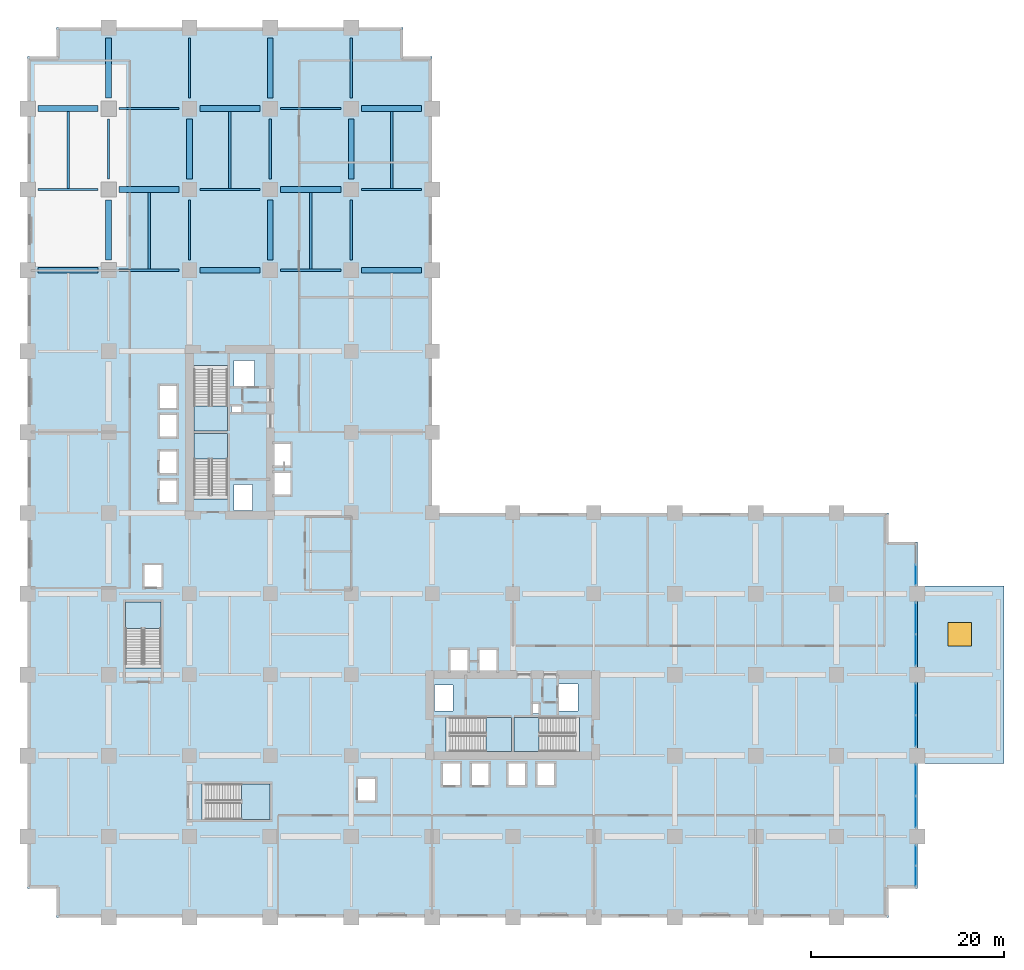
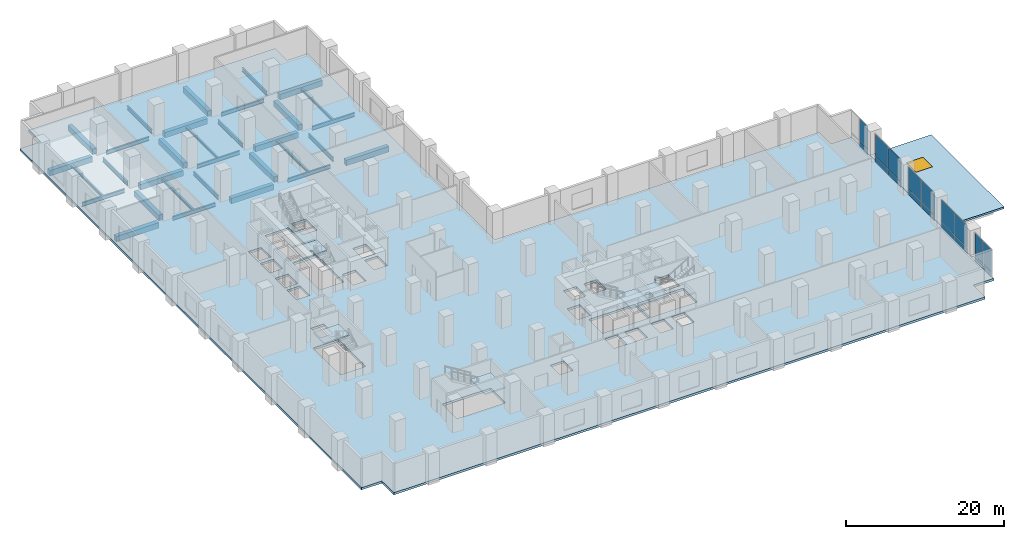
# One storey, part 8 of 22: 32 beams, 18 plates, 8 slabs, 1 window, 1 opening, 11 elements without a shape of their own.
"""IFC4 building model written with IfcOpenShell, lengths in metres."""

import ifcopenshell
import ifcopenshell.guid

model = None  # the IFC model being written
_history = None  # IfcOwnerHistory: only IFC2X3 demands one
_inside = {}  # id of a spatial element -> (the spatial element, [elements in it])
_under = {}  # id of a project, library or spatial element -> (it, [spatial elements below it])
_declared = {}  # id of a project -> (the project, [libraries it declares])
_typed = {}  # id of a type object -> (the type object, [elements of that type])
_made_of = {}  # id of a material, layer set ... -> (it, [elements and type objects made of it])


def new_model(schema):
    """Start an empty IFC model of exactly this schema.

    Asked for "IFC4X3", IfcOpenShell would pick the latest addendum, in which some entities
    have other attributes; the version numbers below select the first issue.
    IFC2X3 requires an IfcOwnerHistory on every rooted entity: one is made here for all.
    """
    global model, _history
    if schema == "IFC4X3":
        model = ifcopenshell.file(schema_version=(4, 3, 0, 0))
    else:
        model = ifcopenshell.file(schema=schema)
    _inside.clear()
    _under.clear()
    _declared.clear()
    _typed.clear()
    _made_of.clear()
    _history = None
    if model.schema == "IFC2X3":
        org = make("IfcOrganization", Name="unknown")
        user = make(
            "IfcPersonAndOrganization",
            ThePerson=make("IfcPerson", FamilyName="unknown"),
            TheOrganization=org,
        )
        app = make(
            "IfcApplication",
            ApplicationDeveloper=org,
            Version="unknown",
            ApplicationFullName="unknown",
            ApplicationIdentifier="unknown",
        )
        _history = make(
            "IfcOwnerHistory",
            OwningUser=user,
            OwningApplication=app,
            ChangeAction="ADDED",
            CreationDate=0,
        )
    return model


def make(cls, **values):
    """One entity of the class cls with the attributes given. An attribute that is None is left unset."""
    return model.create_entity(
        cls, **{name: value for name, value in values.items() if value is not None}
    )


def rooted(cls, **values):
    """An entity with a GlobalId (a new one), such as an element, a storey or a relation."""
    return make(cls, GlobalId=ifcopenshell.guid.new(), OwnerHistory=_history, **values)


def si_unit(unit_type, name, prefix=None):
    """IfcSIUnit, for example si_unit("LENGTHUNIT", "METRE", prefix="MILLI")."""
    return make("IfcSIUnit", UnitType=unit_type, Prefix=prefix, Name=name)


def assignment(units):
    """IfcUnitAssignment: the units of a project."""
    return None if units is None else make("IfcUnitAssignment", Units=units)


def point(xyz):
    """IfcCartesianPoint."""
    return None if xyz is None else make("IfcCartesianPoint", Coordinates=xyz)


def direction(xyz):
    """IfcDirection."""
    return None if xyz is None else make("IfcDirection", DirectionRatios=xyz)


def frame(location, z_axis=None, x_axis=None):
    """IfcAxis2Placement3D, a coordinate frame: its origin and axes. An axis left out is left unset."""
    return make(
        "IfcAxis2Placement3D",
        Location=point(location),
        Axis=direction(z_axis),
        RefDirection=direction(x_axis),
    )


def frame_2d(location, x_axis=None):
    """IfcAxis2Placement2D, a coordinate frame in the plane: its origin and x axis."""
    return make(
        "IfcAxis2Placement2D", Location=point(location), RefDirection=direction(x_axis)
    )


def origin():
    """The frame at (0, 0, 0) with its axes left unset."""
    return frame((0.0, 0.0, 0.0))


def origin_2d():
    """The frame at (0, 0) in the plane with its x axis left unset."""
    return frame_2d((0.0, 0.0))


def place(relative_to, where):
    """IfcLocalPlacement: puts the frame where relative to a parent placement (None: the world)."""
    return make(
        "IfcLocalPlacement", PlacementRelTo=relative_to, RelativePlacement=where
    )


def context(
    kind, dimensions, precision=None, world=None, true_north=None, identifier=None
):
    """IfcGeometricRepresentationContext, for example the 3D "Model" context."""
    return make(
        "IfcGeometricRepresentationContext",
        ContextIdentifier=identifier,
        ContextType=kind,
        CoordinateSpaceDimension=dimensions,
        Precision=precision,
        WorldCoordinateSystem=world,
        TrueNorth=true_north,
    )


def subcontext(parent, identifier, kind, view, scale=None):
    """IfcGeometricRepresentationSubContext, for example "Body" below "Model"."""
    return make(
        "IfcGeometricRepresentationSubContext",
        ContextIdentifier=identifier,
        ContextType=kind,
        ParentContext=parent,
        TargetScale=scale,
        TargetView=view,
    )


def project(units=None, contexts=None):
    """IfcProject with its units and contexts."""
    return rooted(
        "IfcProject",
        Name="project",
        RepresentationContexts=contexts,
        UnitsInContext=assignment(units),
    )


def spatial(cls, under=None, at=None, **own):
    """A site, building, storey or space (cls), placed at a placement, below another one or the project."""
    s = rooted(cls, ObjectPlacement=at, **own)
    if under is not None:
        _under.setdefault(under.id(), (under, []))[1].append(s)
    return s


def polyline(points):
    """IfcPolyline through the points."""
    return make("IfcPolyline", Points=[point(p) for p in points])


def profile(cls, at=None, kind="AREA", **sizes):
    """A parametric profile (cls). Its sizes go by their IFC names, for example OverallWidth=200.0."""
    return make(cls, ProfileType=kind, Position=at, **sizes)


def rectangle(**sizes):
    """IfcRectangleProfileDef."""
    return profile("IfcRectangleProfileDef", **sizes)


def i_section(**sizes):
    """IfcIShapeProfileDef."""
    return profile("IfcIShapeProfileDef", **sizes)


def outline(outer, holes=None, kind="AREA"):
    """IfcArbitraryClosedProfileDef: a profile drawn as a closed curve; with holes, ...WithVoids."""
    if holes is None:
        return make("IfcArbitraryClosedProfileDef", ProfileType=kind, OuterCurve=outer)
    return make(
        "IfcArbitraryProfileDefWithVoids",
        ProfileType=kind,
        OuterCurve=outer,
        InnerCurves=holes,
    )


def extrude(swept, where, along, depth):
    """IfcExtrudedAreaSolid: the profile swept, set in the frame where, extruded along a direction by depth."""
    return make(
        "IfcExtrudedAreaSolid",
        SweptArea=swept,
        Position=where,
        ExtrudedDirection=direction(along),
        Depth=depth,
    )


def shape(context_of_items, identifier, shape_type, items):
    """IfcShapeRepresentation: the items that make up one representation, for example the "Body"."""
    return make(
        "IfcShapeRepresentation",
        ContextOfItems=context_of_items,
        RepresentationIdentifier=identifier,
        RepresentationType=shape_type,
        Items=items,
    )


def material(Name=None, Category=None):
    """IfcMaterial."""
    return make("IfcMaterial", Name=Name, Category=Category)


def layer(
    of_material, thickness, ventilated=None, Name=None, Category=None, Priority=None
):
    """IfcMaterialLayer: one layer of a wall or slab, of a material (None: an air gap)."""
    return make(
        "IfcMaterialLayer",
        Material=of_material,
        LayerThickness=thickness,
        IsVentilated=ventilated,
        Name=Name,
        Category=Category,
        Priority=Priority,
    )


def layer_set(layers, Name=None):
    """IfcMaterialLayerSet."""
    return make("IfcMaterialLayerSet", MaterialLayers=layers, LayerSetName=Name)


def material_profile(
    of_material, cross_section, Name=None, Category=None, Priority=None
):
    """IfcMaterialProfile: a cross section and its material."""
    return make(
        "IfcMaterialProfile",
        Name=Name,
        Material=of_material,
        Profile=cross_section,
        Priority=Priority,
        Category=Category,
    )


def profile_set(profiles, Name=None, composite=None):
    """IfcMaterialProfileSet."""
    return make(
        "IfcMaterialProfileSet",
        Name=Name,
        MaterialProfiles=profiles,
        CompositeProfile=composite,
    )


def made_of(thing, what):
    """Note that an element or type object is made of a material, layer set ...; save() writes the relation."""
    if what is not None:
        _made_of.setdefault(what.id(), (what, []))[1].append(thing)
    return thing


def type_object(cls, material=None, **own):
    """A type object (cls), such as IfcWallType, which elements share."""
    return made_of(rooted(cls, **own), material)


def element(
    cls,
    number,
    at=None,
    inside=None,
    cuts=None,
    type_object=None,
    material=None,
    context=None,
    identifier="Body",
    shape_type=None,
    held_by="IfcProductDefinitionShape",
    body=None,
    shapes=None,
    **own,
):
    """One element of the class cls, such as IfcWall. Its Tag is "e" and its number.

    at: its placement. inside: the storey or other place that contains it. cuts: it is an
    opening in that element (IfcRelVoidsElement). A single representation is given by context,
    identifier, shape_type and body (its items); several are given by shapes. held_by: the class
    of the entity that holds the representations. save() writes the other relations.
    """
    e = rooted(cls, Tag="e%d" % number, ObjectPlacement=at, **own)
    if body is not None:
        shapes = [shape(context, identifier, shape_type, body)]
    if shapes is not None:
        e.Representation = make(held_by, Representations=shapes)
    if inside is not None:
        _inside.setdefault(inside.id(), (inside, []))[1].append(e)
    if cuts is not None:
        rooted(
            "IfcRelVoidsElement", RelatingBuildingElement=cuts, RelatedOpeningElement=e
        )
    if type_object is not None:
        _typed.setdefault(type_object.id(), (type_object, []))[1].append(e)
    return made_of(e, material)


def fill(opening, filler):
    """IfcRelFillsElement: the door or window that sits in an opening."""
    return rooted(
        "IfcRelFillsElement",
        RelatingOpeningElement=opening,
        RelatedBuildingElement=filler,
    )


def aggregate(whole, parts):
    """IfcRelAggregates: a whole, such as a stair, and the parts it consists of."""
    return rooted("IfcRelAggregates", RelatingObject=whole, RelatedObjects=parts)


def save(model, path):
    """Write the relations noted so far, then the file.

    IfcRelAggregates (storeys below a building ...), IfcRelContainedInSpatialStructure (elements
    in a storey), IfcRelDefinesByType, IfcRelAssociatesMaterial and IfcRelDeclares: one each for
    every whole, place, type object, material and project.
    """
    for whole, parts in _under.values():
        aggregate(whole, parts)
    for where, things in _inside.values():
        rooted(
            "IfcRelContainedInSpatialStructure",
            RelatedElements=things,
            RelatingStructure=where,
        )
    for kind, things in _typed.values():
        rooted("IfcRelDefinesByType", RelatedObjects=things, RelatingType=kind)
    for what, things in _made_of.values():
        rooted("IfcRelAssociatesMaterial", RelatedObjects=things, RelatingMaterial=what)
    for by, libraries in _declared.values():
        rooted("IfcRelDeclares", RelatingContext=by, RelatedDefinitions=libraries)
    model.write(path)


model = new_model("IFC4")

# Units and contexts
model_context = context("Model", 3, precision=1e-05, world=origin(), true_north=direction((0.0, 1.0)))
body_context = subcontext(model_context, "Body", "Model", "MODEL_VIEW")
ifc_project = project(units=[si_unit("LENGTHUNIT", "METRE"), si_unit("AREAUNIT", "SQUARE_METRE"), si_unit("VOLUMEUNIT", "CUBIC_METRE"), si_unit("PLANEANGLEUNIT", "RADIAN"), si_unit("MASSUNIT", "GRAM", prefix="KILO")], contexts=[model_context])

# Site, building, storey
site_placement = place(None, origin())
site = spatial("IfcSite", under=ifc_project, at=site_placement, CompositionType="ELEMENT")
building_placement = place(site_placement, origin())
building = spatial("IfcBuilding", under=site, at=building_placement, Name="Koriwani Terraces Tower", CompositionType="ELEMENT")
storey_placement = place(building_placement, frame((0.0, 0.0, 6.0)))
storey = spatial("IfcBuildingStorey", under=building, at=storey_placement, Name="L01", CompositionType="ELEMENT", Elevation=6.0)

# Beams
ifc_material_1 = material(Name="Concrete C60/75", Category="concrete")
ifc_material_profile_1 = material_profile(ifc_material_1, rectangle(XDim=0.60009765625, YDim=0.85009765625, at=origin_2d()), Name="Concrete C60/75", Category="LoadBearing")
ifc_profile_set_1 = profile_set([ifc_material_profile_1], Name="Concrete C60/75")
beam_type_1 = type_object("IfcBeamType", Name="BEAM_RC_GRID_600X850", PredefinedType="BEAM", material=ifc_profile_set_1)
beam_1_placement = place(storey_placement, frame((1.080078125, 67.199951171875, -0.77490234375), z_axis=(1.0, 0.0, 0.0), x_axis=(0.0, 1.0, 0.0)))
element("IfcBeam", 1, at=beam_1_placement, inside=storey, type_object=beam_type_1, Name="L01 Grid Beam I (0.0-8.4m)", PredefinedType="BEAM", context=body_context, shape_type="SweptSolid", body=[
    extrude(rectangle(XDim=0.60009765625, YDim=0.85009765625, at=origin_2d()), origin(), (0.0, 0.0, 1.0), 6.239990234375),
])
beam_2_placement = place(storey_placement, frame((17.8798828125, 67.199951171875, -0.77490234375), z_axis=(1.0, 0.0, 0.0), x_axis=(0.0, 1.0, 0.0)))
element("IfcBeam", 2, at=beam_2_placement, inside=storey, type_object=beam_type_1, Name="L01 Grid Beam I (16.8-25.2m)", PredefinedType="BEAM", context=body_context, shape_type="SweptSolid", body=[
    extrude(rectangle(XDim=0.60009765625, YDim=0.85009765625, at=origin_2d()), origin(), (0.0, 0.0, 1.0), 6.240234375),
])
for number, where, z_axis, x_axis, name in (
    (3, (34.679931640625, 67.199951171875, -0.77490234375), (1.0, 0.0, 0.0), (0.0, 1.0, 0.0), "L01 Grid Beam I (33.6-42.0m)"),
    (4, (9.47998046875, 75.60009765625, -0.77490234375), (1.0, 0.0, 0.0), (0.0, 1.0, 0.0), "L01 Grid Beam J (8.4-16.8m)"),
    (5, (26.280029296875, 75.60009765625, -0.77490234375), (1.0, 0.0, 0.0), (0.0, 1.0, 0.0), "L01 Grid Beam J (25.2-33.6m)"),
    (6, (1.080078125, 84.0, -0.77490234375), (1.0, 0.0, 0.0), (0.0, 1.0, 0.0), "L01 Grid Beam K (0.0-8.4m)"),
):
    element("IfcBeam", number, at=place(storey_placement, frame(where, z_axis=z_axis, x_axis=x_axis)), inside=storey, type_object=beam_type_1, Name=name, PredefinedType="BEAM", context=body_context, shape_type="SweptSolid", body=[
        extrude(rectangle(XDim=0.60009765625, YDim=0.85009765625, at=origin_2d()), origin(), (0.0, 0.0, 1.0), 6.239990234375),
    ])
beam_3_placement = place(storey_placement, frame((17.8798828125, 84.0, -0.77490234375), z_axis=(1.0, 0.0, 0.0), x_axis=(0.0, 1.0, 0.0)))
element("IfcBeam", 7, at=beam_3_placement, inside=storey, type_object=beam_type_1, Name="L01 Grid Beam K (16.8-25.2m)", PredefinedType="BEAM", context=body_context, shape_type="SweptSolid", body=[
    extrude(rectangle(XDim=0.60009765625, YDim=0.85009765625, at=origin_2d()), origin(), (0.0, 0.0, 1.0), 6.240234375),
])
for number, where, z_axis, x_axis, name in (
    (8, (34.679931640625, 84.0, -0.77490234375), (1.0, 0.0, 0.0), (0.0, 1.0, 0.0), "L01 Grid Beam K (33.6-42.0m)"),
    (9, (8.39990234375, 68.280029296875, -0.77490234375), (0.0, 1.0, 0.0), (-1.0, 0.0, 0.0), "L01 Grid Beam 2 (67.2-75.6m)"),
    (10, (8.39990234375, 85.080078125, -0.77490234375), (0.0, 1.0, 0.0), (-1.0, 0.0, 0.0), "L01 Grid Beam 2 (84.0-92.4m)"),
    (11, (16.800048828125, 76.679931640625, -0.77490234375), (0.0, 1.0, 0.0), (-1.0, 0.0, 0.0), "L01 Grid Beam 3 (75.6-84.0m)"),
    (12, (25.199951171875, 68.280029296875, -0.77490234375), (0.0, 1.0, 0.0), (-1.0, 0.0, 0.0), "L01 Grid Beam 4 (67.2-75.6m)"),
    (13, (25.199951171875, 85.080078125, -0.77490234375), (0.0, 1.0, 0.0), (-1.0, 0.0, 0.0), "L01 Grid Beam 4 (84.0-92.4m)"),
    (14, (33.60009765625, 76.679931640625, -0.77490234375), (0.0, 1.0, 0.0), (-1.0, 0.0, 0.0), "L01 Grid Beam 5 (75.6-84.0m)"),
):
    element("IfcBeam", number, at=place(storey_placement, frame(where, z_axis=z_axis, x_axis=x_axis)), inside=storey, type_object=beam_type_1, Name=name, PredefinedType="BEAM", context=body_context, shape_type="SweptSolid", body=[
        extrude(rectangle(XDim=0.60009765625, YDim=0.85009765625, at=origin_2d()), origin(), (0.0, 0.0, 1.0), 6.239990234375),
    ])
ifc_material_2 = material(Name="Steel ASTM A572 Grade 50", Category="steel")
ifc_material_profile_2 = material_profile(ifc_material_2, i_section(OverallWidth=0.257080078125, OverallDepth=0.363037109375, WebThickness=0.012939453125, FlangeThickness=0.021728515625, at=origin_2d()), Name="Steel ASTM A572 Grade 50", Category="LoadBearing")
ifc_profile_set_2 = profile_set([ifc_material_profile_2], Name="Steel ASTM A572 Grade 50")
beam_type_2 = type_object("IfcBeamType", Name="STEEL_BEAM_W360X122", PredefinedType="JOIST", material=ifc_profile_set_2)
beam_4_placement = place(storey_placement, frame((4.199951171875, 75.70458984375, -0.531494140625), z_axis=(0.0, 1.0, 0.0), x_axis=(-1.0, 0.0, 0.0)))
element("IfcBeam", 15, at=beam_4_placement, inside=storey, type_object=beam_type_2, Name="L01 Secondary Steel Floor Joist X=4.2m", PredefinedType="JOIST", context=body_context, shape_type="SweptSolid", body=[
    extrude(i_section(OverallWidth=0.257080078125, OverallDepth=0.363037109375, WebThickness=0.012939453125, FlangeThickness=0.021728515625, at=origin_2d()), origin(), (0.0, 0.0, 1.0), 8.00537109375),
])
beam_5_placement = place(storey_placement, frame((12.60009765625, 67.304443359375, -0.531494140625), z_axis=(0.0, 1.0, 0.0), x_axis=(-1.0, 0.0, 0.0)))
element("IfcBeam", 16, at=beam_5_placement, inside=storey, type_object=beam_type_2, Name="L01 Secondary Steel Floor Joist X=12.6m", PredefinedType="JOIST", context=body_context, shape_type="SweptSolid", body=[
    extrude(i_section(OverallWidth=0.257080078125, OverallDepth=0.363037109375, WebThickness=0.012939453125, FlangeThickness=0.021728515625, at=origin_2d()), origin(), (0.0, 0.0, 1.0), 8.005615234375),
])
beam_6_placement = place(storey_placement, frame((21.0, 75.70458984375, -0.531494140625), z_axis=(0.0, 1.0, 0.0), x_axis=(-1.0, 0.0, 0.0)))
element("IfcBeam", 17, at=beam_6_placement, inside=storey, type_object=beam_type_2, Name="L01 Secondary Steel Floor Joist X=21.0m", PredefinedType="JOIST", context=body_context, shape_type="SweptSolid", body=[
    extrude(i_section(OverallWidth=0.257080078125, OverallDepth=0.363037109375, WebThickness=0.012939453125, FlangeThickness=0.021728515625, at=origin_2d()), origin(), (0.0, 0.0, 1.0), 8.00537109375),
])
beam_7_placement = place(storey_placement, frame((29.39990234375, 67.304443359375, -0.531494140625), z_axis=(0.0, 1.0, 0.0), x_axis=(-1.0, 0.0, 0.0)))
element("IfcBeam", 18, at=beam_7_placement, inside=storey, type_object=beam_type_2, Name="L01 Secondary Steel Floor Joist X=29.4m", PredefinedType="JOIST", context=body_context, shape_type="SweptSolid", body=[
    extrude(i_section(OverallWidth=0.257080078125, OverallDepth=0.363037109375, WebThickness=0.012939453125, FlangeThickness=0.021728515625, at=origin_2d()), origin(), (0.0, 0.0, 1.0), 8.005615234375),
])
beam_8_placement = place(storey_placement, frame((37.800048828125, 75.70458984375, -0.531494140625), z_axis=(0.0, 1.0, 0.0), x_axis=(-1.0, 0.0, 0.0)))
element("IfcBeam", 19, at=beam_8_placement, inside=storey, type_object=beam_type_2, Name="L01 Secondary Steel Floor Joist X=37.8m", PredefinedType="JOIST", context=body_context, shape_type="SweptSolid", body=[
    extrude(i_section(OverallWidth=0.257080078125, OverallDepth=0.363037109375, WebThickness=0.012939453125, FlangeThickness=0.021728515625, at=origin_2d()), origin(), (0.0, 0.0, 1.0), 8.00537109375),
])
ifc_material_profile_3 = material_profile(ifc_material_2, i_section(OverallWidth=0.22900390625, OverallDepth=0.611083984375, WebThickness=0.0126953125, FlangeThickness=0.022216796875, at=origin_2d()), Name="Steel ASTM A572 Grade 50", Category="LoadBearing")
ifc_profile_set_3 = profile_set([ifc_material_profile_3], Name="Steel ASTM A572 Grade 50")
beam_type_3 = type_object("IfcBeamType", Name="STEEL_BEAM_W610X155", PredefinedType="BEAM", material=ifc_profile_set_3)
for number, where, z_axis, x_axis, name in (
    (20, (9.47998046875, 67.199951171875, -0.655517578125), (1.0, 0.0, 0.0), (0.0, 1.0, 0.0), "L01 Grid Beam I (8.4-16.8m)"),
    (21, (26.280029296875, 67.199951171875, -0.655517578125), (1.0, 0.0, 0.0), (0.0, 1.0, 0.0), "L01 Grid Beam I (25.2-33.6m)"),
    (22, (1.080078125, 75.60009765625, -0.655517578125), (1.0, 0.0, 0.0), (0.0, 1.0, 0.0), "L01 Grid Beam J (0.0-8.4m)"),
):
    element("IfcBeam", number, at=place(storey_placement, frame(where, z_axis=z_axis, x_axis=x_axis)), inside=storey, type_object=beam_type_3, Name=name, PredefinedType="BEAM", context=body_context, shape_type="SweptSolid", body=[
        extrude(i_section(OverallWidth=0.22900390625, OverallDepth=0.611083984375, WebThickness=0.0126953125, FlangeThickness=0.022216796875, at=origin_2d()), origin(), (0.0, 0.0, 1.0), 6.239990234375),
    ])
beam_9_placement = place(storey_placement, frame((17.8798828125, 75.60009765625, -0.655517578125), z_axis=(1.0, 0.0, 0.0), x_axis=(0.0, 1.0, 0.0)))
element("IfcBeam", 23, at=beam_9_placement, inside=storey, type_object=beam_type_3, Name="L01 Grid Beam J (16.8-25.2m)", PredefinedType="BEAM", context=body_context, shape_type="SweptSolid", body=[
    extrude(i_section(OverallWidth=0.22900390625, OverallDepth=0.611083984375, WebThickness=0.0126953125, FlangeThickness=0.022216796875, at=origin_2d()), origin(), (0.0, 0.0, 1.0), 6.240234375),
])
for number, where, z_axis, x_axis, name in (
    (24, (34.679931640625, 75.60009765625, -0.655517578125), (1.0, 0.0, 0.0), (0.0, 1.0, 0.0), "L01 Grid Beam J (33.6-42.0m)"),
    (25, (9.47998046875, 84.0, -0.655517578125), (1.0, 0.0, 0.0), (0.0, 1.0, 0.0), "L01 Grid Beam K (8.4-16.8m)"),
    (26, (26.280029296875, 84.0, -0.655517578125), (1.0, 0.0, 0.0), (0.0, 1.0, 0.0), "L01 Grid Beam K (25.2-33.6m)"),
    (27, (8.39990234375, 76.679931640625, -0.655517578125), (0.0, 1.0, 0.0), (-1.0, 0.0, 0.0), "L01 Grid Beam 2 (75.6-84.0m)"),
    (28, (16.800048828125, 68.280029296875, -0.655517578125), (0.0, 1.0, 0.0), (-1.0, 0.0, 0.0), "L01 Grid Beam 3 (67.2-75.6m)"),
    (29, (16.800048828125, 85.080078125, -0.655517578125), (0.0, 1.0, 0.0), (-1.0, 0.0, 0.0), "L01 Grid Beam 3 (84.0-92.4m)"),
    (30, (25.199951171875, 76.679931640625, -0.655517578125), (0.0, 1.0, 0.0), (-1.0, 0.0, 0.0), "L01 Grid Beam 4 (75.6-84.0m)"),
    (31, (33.60009765625, 68.280029296875, -0.655517578125), (0.0, 1.0, 0.0), (-1.0, 0.0, 0.0), "L01 Grid Beam 5 (67.2-75.6m)"),
    (32, (33.60009765625, 85.080078125, -0.655517578125), (0.0, 1.0, 0.0), (-1.0, 0.0, 0.0), "L01 Grid Beam 5 (84.0-92.4m)"),
):
    element("IfcBeam", number, at=place(storey_placement, frame(where, z_axis=z_axis, x_axis=x_axis)), inside=storey, type_object=beam_type_3, Name=name, PredefinedType="BEAM", context=body_context, shape_type="SweptSolid", body=[
        extrude(i_section(OverallWidth=0.22900390625, OverallDepth=0.611083984375, WebThickness=0.0126953125, FlangeThickness=0.022216796875, at=origin_2d()), origin(), (0.0, 0.0, 1.0), 6.239990234375),
    ])

# Curtain wall, plates
ifc_material_3 = material(Name="Anodised Bronze Aluminium", Category="aluminium")
ifc_layer_1 = layer(ifc_material_3, 0.199951171875, Name="Anodised Bronze Aluminium")
ifc_layer_set_1 = layer_set([ifc_layer_1], Name="Anodised Bronze Aluminium")
curtain_wall_type = type_object("IfcCurtainWallType", Name="CW_PODIUM_GALLERIA", PredefinedType="NOTDEFINED", material=ifc_layer_set_1)
curtain_wall_1_placement = place(storey_placement, origin())
curtain_wall_1 = element("IfcCurtainWall", 33, at=curtain_wall_1_placement, inside=storey, type_object=curtain_wall_type, Name="L01 Unitised Curtain Wall (E_TIP) Bay 1", PredefinedType="NOTDEFINED")
ifc_material_4 = material(Name="Tempered Laminated Low-E Glass", Category="glass")
ifc_layer_2 = layer(ifc_material_4, 0.028076171875, Name="Tempered Laminated Low-E Glass")
ifc_layer_set_2 = layer_set([ifc_layer_2], Name="Tempered Laminated Low-E Glass")
plate_type = type_object("IfcPlateType", Name="CW_PANEL_VISION_28", PredefinedType="CURTAIN_PANEL", material=ifc_layer_set_2)
plate_1_placement = place(storey_placement, frame((92.22509765625, 35.572509765625, 0.06494140625), z_axis=(0.0, 0.0, 1.0), x_axis=(0.0, -1.0, 0.0)))
plate_1 = element("IfcPlate", 34, at=plate_1_placement, type_object=plate_type, Name="CW-POD panel 2.1", PredefinedType="CURTAIN_PANEL", context=body_context, shape_type="SweptSolid", body=[
    extrude(rectangle(XDim=2.054931640625, YDim=0.028076171875, at=origin_2d()), origin(), (0.0, 0.0, 1.0), 0.802490234375),
])
plate_2_placement = place(storey_placement, frame((92.22509765625, 35.572509765625, 0.9326171875), z_axis=(0.0, 0.0, 1.0), x_axis=(0.0, -1.0, 0.0)))
plate_2 = element("IfcPlate", 35, at=plate_2_placement, type_object=plate_type, Name="CW-POD panel 2.2", PredefinedType="CURTAIN_PANEL", context=body_context, shape_type="SweptSolid", body=[
    extrude(rectangle(XDim=2.054931640625, YDim=0.028076171875, at=origin_2d()), origin(), (0.0, 0.0, 1.0), 3.452392578125),
])
aggregate(curtain_wall_1, [plate_1, plate_2])

curtain_wall_2_placement = place(storey_placement, origin())
curtain_wall_2 = element("IfcCurtainWall", 36, at=curtain_wall_2_placement, inside=storey, type_object=curtain_wall_type, Name="L01 Unitised Curtain Wall (E_TIP) Bay 2", PredefinedType="NOTDEFINED")
plate_3_placement = place(storey_placement, frame((92.22509765625, 31.048828125, 0.06494140625), z_axis=(0.0, 0.0, 1.0), x_axis=(0.0, -1.0, 0.0)))
plate_3 = element("IfcPlate", 37, at=plate_3_placement, type_object=plate_type, Name="CW-POD panel 1.1", PredefinedType="CURTAIN_PANEL", context=body_context, shape_type="SweptSolid", body=[
    extrude(rectangle(XDim=3.21240234375, YDim=0.028076171875, at=origin_2d()), origin(), (0.0, 0.0, 1.0), 0.802490234375),
])
plate_4_placement = place(storey_placement, frame((92.22509765625, 31.048828125, 0.9326171875), z_axis=(0.0, 0.0, 1.0), x_axis=(0.0, -1.0, 0.0)))
plate_4 = element("IfcPlate", 38, at=plate_4_placement, type_object=plate_type, Name="CW-POD panel 1.2", PredefinedType="CURTAIN_PANEL", context=body_context, shape_type="SweptSolid", body=[
    extrude(rectangle(XDim=3.21240234375, YDim=0.028076171875, at=origin_2d()), origin(), (0.0, 0.0, 1.0), 3.452392578125),
])
plate_5_placement = place(storey_placement, frame((92.22509765625, 27.751220703125, 0.06494140625), z_axis=(0.0, 0.0, 1.0), x_axis=(0.0, -1.0, 0.0)))
plate_5 = element("IfcPlate", 39, at=plate_5_placement, type_object=plate_type, Name="CW-POD panel 2.1", PredefinedType="CURTAIN_PANEL", context=body_context, shape_type="SweptSolid", body=[
    extrude(rectangle(XDim=3.21240234375, YDim=0.028076171875, at=origin_2d()), origin(), (0.0, 0.0, 1.0), 0.802490234375),
])
plate_6_placement = place(storey_placement, frame((92.22509765625, 27.751220703125, 0.9326171875), z_axis=(0.0, 0.0, 1.0), x_axis=(0.0, -1.0, 0.0)))
plate_6 = element("IfcPlate", 40, at=plate_6_placement, type_object=plate_type, Name="CW-POD panel 2.2", PredefinedType="CURTAIN_PANEL", context=body_context, shape_type="SweptSolid", body=[
    extrude(rectangle(XDim=3.21240234375, YDim=0.028076171875, at=origin_2d()), origin(), (0.0, 0.0, 1.0), 3.452392578125),
])
aggregate(curtain_wall_2, [plate_3, plate_4, plate_5, plate_6])

curtain_wall_3_placement = place(storey_placement, origin())
curtain_wall_3 = element("IfcCurtainWall", 41, at=curtain_wall_3_placement, inside=storey, type_object=curtain_wall_type, Name="L01 Unitised Curtain Wall (E_TIP) Bay 3", PredefinedType="NOTDEFINED")
plate_7_placement = place(storey_placement, frame((92.22509765625, 22.648681640625, 0.06494140625), z_axis=(0.0, 0.0, 1.0), x_axis=(0.0, -1.0, 0.0)))
plate_7 = element("IfcPlate", 42, at=plate_7_placement, type_object=plate_type, Name="CW-POD panel 1.1", PredefinedType="CURTAIN_PANEL", context=body_context, shape_type="SweptSolid", body=[
    extrude(rectangle(XDim=3.21240234375, YDim=0.028076171875, at=origin_2d()), origin(), (0.0, 0.0, 1.0), 0.802490234375),
])
plate_8_placement = place(storey_placement, frame((92.22509765625, 22.648681640625, 0.9326171875), z_axis=(0.0, 0.0, 1.0), x_axis=(0.0, -1.0, 0.0)))
plate_8 = element("IfcPlate", 43, at=plate_8_placement, type_object=plate_type, Name="CW-POD panel 1.2", PredefinedType="CURTAIN_PANEL", context=body_context, shape_type="SweptSolid", body=[
    extrude(rectangle(XDim=3.21240234375, YDim=0.028076171875, at=origin_2d()), origin(), (0.0, 0.0, 1.0), 3.452392578125),
])
plate_9_placement = place(storey_placement, frame((92.22509765625, 19.351318359375, 0.06494140625), z_axis=(0.0, 0.0, 1.0), x_axis=(0.0, -1.0, 0.0)))
plate_9 = element("IfcPlate", 44, at=plate_9_placement, type_object=plate_type, Name="CW-POD panel 2.1", PredefinedType="CURTAIN_PANEL", context=body_context, shape_type="SweptSolid", body=[
    extrude(rectangle(XDim=3.21240234375, YDim=0.028076171875, at=origin_2d()), origin(), (0.0, 0.0, 1.0), 0.802490234375),
])
plate_10_placement = place(storey_placement, frame((92.22509765625, 19.351318359375, 0.9326171875), z_axis=(0.0, 0.0, 1.0), x_axis=(0.0, -1.0, 0.0)))
plate_10 = element("IfcPlate", 45, at=plate_10_placement, type_object=plate_type, Name="CW-POD panel 2.2", PredefinedType="CURTAIN_PANEL", context=body_context, shape_type="SweptSolid", body=[
    extrude(rectangle(XDim=3.21240234375, YDim=0.028076171875, at=origin_2d()), origin(), (0.0, 0.0, 1.0), 3.452392578125),
])
aggregate(curtain_wall_3, [plate_7, plate_8, plate_9, plate_10])

curtain_wall_4_placement = place(storey_placement, origin())
curtain_wall_4 = element("IfcCurtainWall", 46, at=curtain_wall_4_placement, inside=storey, type_object=curtain_wall_type, Name="L01 Unitised Curtain Wall (E_TIP) Bay 4", PredefinedType="NOTDEFINED")
plate_11_placement = place(storey_placement, frame((92.22509765625, 14.248779296875, 0.06494140625), z_axis=(0.0, 0.0, 1.0), x_axis=(0.0, -1.0, 0.0)))
plate_11 = element("IfcPlate", 47, at=plate_11_placement, type_object=plate_type, Name="CW-POD panel 1.1", PredefinedType="CURTAIN_PANEL", context=body_context, shape_type="SweptSolid", body=[
    extrude(rectangle(XDim=3.21240234375, YDim=0.028076171875, at=origin_2d()), origin(), (0.0, 0.0, 1.0), 0.802490234375),
])
plate_12_placement = place(storey_placement, frame((92.22509765625, 14.248779296875, 0.9326171875), z_axis=(0.0, 0.0, 1.0), x_axis=(0.0, -1.0, 0.0)))
plate_12 = element("IfcPlate", 48, at=plate_12_placement, type_object=plate_type, Name="CW-POD panel 1.2", PredefinedType="CURTAIN_PANEL", context=body_context, shape_type="SweptSolid", body=[
    extrude(rectangle(XDim=3.21240234375, YDim=0.028076171875, at=origin_2d()), origin(), (0.0, 0.0, 1.0), 3.452392578125),
])
plate_13_placement = place(storey_placement, frame((92.22509765625, 10.951171875, 0.06494140625), z_axis=(0.0, 0.0, 1.0), x_axis=(0.0, -1.0, 0.0)))
plate_13 = element("IfcPlate", 49, at=plate_13_placement, type_object=plate_type, Name="CW-POD panel 2.1", PredefinedType="CURTAIN_PANEL", context=body_context, shape_type="SweptSolid", body=[
    extrude(rectangle(XDim=3.21240234375, YDim=0.028076171875, at=origin_2d()), origin(), (0.0, 0.0, 1.0), 0.802490234375),
])
plate_14_placement = place(storey_placement, frame((92.22509765625, 10.951171875, 0.9326171875), z_axis=(0.0, 0.0, 1.0), x_axis=(0.0, -1.0, 0.0)))
plate_14 = element("IfcPlate", 50, at=plate_14_placement, type_object=plate_type, Name="CW-POD panel 2.2", PredefinedType="CURTAIN_PANEL", context=body_context, shape_type="SweptSolid", body=[
    extrude(rectangle(XDim=3.21240234375, YDim=0.028076171875, at=origin_2d()), origin(), (0.0, 0.0, 1.0), 3.452392578125),
])
aggregate(curtain_wall_4, [plate_11, plate_12, plate_13, plate_14])

curtain_wall_5_placement = place(storey_placement, origin())
curtain_wall_5 = element("IfcCurtainWall", 51, at=curtain_wall_5_placement, inside=storey, type_object=curtain_wall_type, Name="L01 Unitised Curtain Wall (E_TIP) Bay 5", PredefinedType="NOTDEFINED")
plate_15_placement = place(storey_placement, frame((92.22509765625, 6.427490234375, 0.06494140625), z_axis=(0.0, 0.0, 1.0), x_axis=(0.0, -1.0, 0.0)))
plate_15 = element("IfcPlate", 52, at=plate_15_placement, type_object=plate_type, Name="CW-POD panel 1.1", PredefinedType="CURTAIN_PANEL", context=body_context, shape_type="SweptSolid", body=[
    extrude(rectangle(XDim=2.054931640625, YDim=0.028076171875, at=origin_2d()), origin(), (0.0, 0.0, 1.0), 0.802490234375),
])
plate_16_placement = place(storey_placement, frame((92.22509765625, 6.427490234375, 0.9326171875), z_axis=(0.0, 0.0, 1.0), x_axis=(0.0, -1.0, 0.0)))
plate_16 = element("IfcPlate", 53, at=plate_16_placement, type_object=plate_type, Name="CW-POD panel 1.2", PredefinedType="CURTAIN_PANEL", context=body_context, shape_type="SweptSolid", body=[
    extrude(rectangle(XDim=2.054931640625, YDim=0.028076171875, at=origin_2d()), origin(), (0.0, 0.0, 1.0), 3.452392578125),
])
plate_17_placement = place(storey_placement, frame((92.22509765625, 4.28759765625, 0.06494140625), z_axis=(0.0, 0.0, 1.0), x_axis=(0.0, -1.0, 0.0)))
plate_17 = element("IfcPlate", 54, at=plate_17_placement, type_object=plate_type, Name="CW-POD panel 2.1", PredefinedType="CURTAIN_PANEL", context=body_context, shape_type="SweptSolid", body=[
    extrude(rectangle(XDim=2.054931640625, YDim=0.028076171875, at=origin_2d()), origin(), (0.0, 0.0, 1.0), 0.802490234375),
])
plate_18_placement = place(storey_placement, frame((92.22509765625, 4.28759765625, 0.9326171875), z_axis=(0.0, 0.0, 1.0), x_axis=(0.0, -1.0, 0.0)))
plate_18 = element("IfcPlate", 55, at=plate_18_placement, type_object=plate_type, Name="CW-POD panel 2.2", PredefinedType="CURTAIN_PANEL", context=body_context, shape_type="SweptSolid", body=[
    extrude(rectangle(XDim=2.054931640625, YDim=0.028076171875, at=origin_2d()), origin(), (0.0, 0.0, 1.0), 3.452392578125),
])
aggregate(curtain_wall_5, [plate_15, plate_16, plate_17, plate_18])

# Slab, opening, window
ifc_material_5 = material(Name="Concrete C50/60", Category="concrete")
ifc_layer_3 = layer(ifc_material_5, 0.280029296875, Name="Concrete C50/60")
ifc_layer_set_3 = layer_set([ifc_layer_3], Name="Concrete C50/60")
slab_type_1 = type_object("IfcSlabType", Name="SLAB_MAIN_ROOF_280", PredefinedType="ROOF", material=ifc_layer_set_3)
slab_1_placement = place(storey_placement, frame((0.0, 0.0, -0.280029296875)))
slab_1 = element("IfcSlab", 56, at=slab_1_placement, inside=storey, type_object=slab_type_1, Name="Porte-Cochere Entrance Canopy Roof Slab", PredefinedType="ROOF", context=body_context, shape_type="SweptSolid", body=[
    extrude(outline(polyline([(92.419921875, 16.0), (101.39990234375, 16.0), (101.39990234375, 34.39990234375), (92.419921875, 34.39990234375), (92.419921875, 16.0)])), origin(), (0.0, 0.0, 1.0), 0.280029296875),
])
opening_placement = place(slab_1_placement, frame((96.800048828125, 29.39990234375, 0.0)))
opening = element("IfcOpeningElement", 57, at=opening_placement, cuts=slab_1, Name="Opening SK-01", PredefinedType="OPENING", context=body_context, shape_type="SweptSolid", body=[
    extrude(rectangle(XDim=2.39990234375, YDim=2.39990234375, at=origin_2d()), origin(), (0.0, 0.0, 1.0), 0.280029296875),
])
window_type = type_object("IfcWindowType", Name="SKYLIGHT_PODIUM_2400X2400", PartitioningType="SINGLE_PANEL", PredefinedType="SKYLIGHT", material=ifc_material_4)
window_placement = place(opening_placement, frame((0.0, 0.0, 0.22998046875)))
window = element("IfcWindow", 58, at=window_placement, inside=storey, type_object=window_type, Name="Porte-Cochere Canopy Skylight SK-06", OverallHeight=2.39990234375, OverallWidth=2.39990234375, PartitioningType="SINGLE_PANEL", PredefinedType="SKYLIGHT", context=body_context, shape_type="SweptSolid", body=[
    extrude(rectangle(XDim=2.39990234375, YDim=2.39990234375, at=origin_2d()), origin(), (0.0, 0.0, 1.0), 0.050048828125),
])
fill(opening, window)

# Slab
ifc_layer_4 = layer(ifc_material_5, 0.35009765625, Name="Concrete C50/60")
ifc_layer_set_4 = layer_set([ifc_layer_4], Name="Concrete C50/60")
slab_type_2 = type_object("IfcSlabType", Name="SLAB_PODIUM_350", PredefinedType="FLOOR", material=ifc_layer_set_4)
slab_2_placement = place(storey_placement, frame((0.0, 0.0, -0.35009765625)))
element("IfcSlab", 59, at=slab_2_placement, inside=storey, type_object=slab_type_2, Name="L01 Structural Floor Slab", PredefinedType="FLOOR", context=body_context, shape_type="SweptSolid", body=[
    extrude(outline(polyline([(3.0, 0.0), (89.39990234375, 0.0), (89.39990234375, 3.0), (92.39990234375, 3.0), (92.39990234375, 39.0), (89.39990234375, 39.0), (89.39990234375, 42.0), (42.0, 42.0), (42.0, 89.39990234375), (39.0, 89.39990234375), (39.0, 92.39990234375), (3.0, 92.39990234375), (3.0, 89.39990234375), (0.0, 89.39990234375), (0.0, 3.0), (3.0, 3.0), (3.0, 0.0)]), holes=[polyline([(17.25, 43.4599609375), (20.75, 43.4599609375), (20.75, 50.25), (17.25, 50.25), (17.25, 43.4599609375)]), polyline([(17.25, 50.5), (20.75, 50.5), (20.75, 57.2900390625), (17.25, 57.2900390625), (17.25, 50.5)]), polyline([(43.4599609375, 17.25), (50.25, 17.25), (50.25, 20.75), (43.4599609375, 20.75), (43.4599609375, 17.25)]), polyline([(50.5, 17.25), (57.2900390625, 17.25), (57.2900390625, 20.75), (50.5, 20.75), (50.5, 17.25)]), polyline([(10.14990234375, 25.909912109375), (13.85009765625, 25.909912109375), (13.85009765625, 32.75), (10.14990234375, 32.75), (10.14990234375, 25.909912109375)]), polyline([(18.110107421875, 10.14990234375), (25.14990234375, 10.14990234375), (25.14990234375, 13.85009765625), (18.110107421875, 13.85009765625), (18.110107421875, 10.14990234375)]), polyline([(12.050048828125, 34.25), (13.949951171875, 34.25), (13.949951171875, 36.64990234375), (12.050048828125, 36.64990234375), (12.050048828125, 34.25)]), polyline([(34.25, 12.050048828125), (36.14990234375, 12.050048828125), (36.14990234375, 14.449951171875), (34.25, 14.449951171875), (34.25, 12.050048828125)]), polyline([(13.64990234375, 43.050048828125), (15.550048828125, 43.050048828125), (15.550048828125, 45.449951171875), (13.64990234375, 45.449951171875), (13.64990234375, 43.050048828125)]), polyline([(13.64990234375, 46.050048828125), (15.550048828125, 46.050048828125), (15.550048828125, 48.449951171875), (13.64990234375, 48.449951171875), (13.64990234375, 46.050048828125)]), polyline([(43.050048828125, 13.64990234375), (44.949951171875, 13.64990234375), (44.949951171875, 16.050048828125), (43.050048828125, 16.050048828125), (43.050048828125, 13.64990234375)]), polyline([(46.050048828125, 13.64990234375), (47.949951171875, 13.64990234375), (47.949951171875, 16.050048828125), (46.050048828125, 16.050048828125), (46.050048828125, 13.64990234375)]), polyline([(13.64990234375, 49.85009765625), (15.550048828125, 49.85009765625), (15.550048828125, 52.25), (13.64990234375, 52.25), (13.64990234375, 49.85009765625)]), polyline([(13.64990234375, 52.85009765625), (15.550048828125, 52.85009765625), (15.550048828125, 55.25), (13.64990234375, 55.25), (13.64990234375, 52.85009765625)]), polyline([(49.85009765625, 13.64990234375), (51.75, 13.64990234375), (51.75, 16.050048828125), (49.85009765625, 16.050048828125), (49.85009765625, 13.64990234375)]), polyline([(52.85009765625, 13.64990234375), (54.75, 13.64990234375), (54.75, 16.050048828125), (52.85009765625, 16.050048828125), (52.85009765625, 13.64990234375)]), polyline([(25.449951171875, 43.85009765625), (27.35009765625, 43.85009765625), (27.35009765625, 46.25), (25.449951171875, 46.25), (25.449951171875, 43.85009765625)]), polyline([(25.449951171875, 46.85009765625), (27.35009765625, 46.85009765625), (27.35009765625, 49.25), (25.449951171875, 49.25), (25.449951171875, 46.85009765625)]), polyline([(43.85009765625, 25.449951171875), (45.75, 25.449951171875), (45.75, 27.85009765625), (43.85009765625, 27.85009765625), (43.85009765625, 25.449951171875)]), polyline([(46.85009765625, 25.449951171875), (48.75, 25.449951171875), (48.75, 27.85009765625), (46.85009765625, 27.85009765625), (46.85009765625, 25.449951171875)]), polyline([(21.449951171875, 55.050048828125), (23.550048828125, 55.050048828125), (23.550048828125, 57.85009765625), (21.449951171875, 57.85009765625), (21.449951171875, 55.050048828125)]), polyline([(55.050048828125, 21.449951171875), (57.14990234375, 21.449951171875), (57.14990234375, 24.25), (55.050048828125, 24.25), (55.050048828125, 21.449951171875)]), polyline([(21.449951171875, 42.25), (23.35009765625, 42.25), (23.35009765625, 44.949951171875), (21.449951171875, 44.949951171875), (21.449951171875, 42.25)]), polyline([(42.25, 21.449951171875), (44.14990234375, 21.449951171875), (44.14990234375, 24.14990234375), (42.25, 24.14990234375), (42.25, 21.449951171875)]), polyline([(21.14990234375, 52.419921875), (22.219970703125, 52.419921875), (22.219970703125, 53.179931640625), (21.14990234375, 53.179931640625), (21.14990234375, 52.419921875)]), polyline([(52.419921875, 21.14990234375), (53.179931640625, 21.14990234375), (53.179931640625, 22.219970703125), (52.419921875, 22.219970703125), (52.419921875, 21.14990234375)])]), origin(), (0.0, 0.0, 1.0), 0.35009765625),
])

# Stair, slab
ifc_material_6 = material(Name="Concrete C40/50", Category="concrete")
stair_type_1 = type_object("IfcStairType", Name="STAIR_CORE_DOGLEG_1650", PredefinedType="TWO_STRAIGHT_RUN_STAIR", material=ifc_material_6)
stair_1_placement = place(storey_placement, origin())
stair_1 = element("IfcStair", 60, at=stair_1_placement, inside=storey, type_object=stair_type_1, Name="L01 West Core Exit Stair 1", PredefinedType="HALF_TURN_STAIR")
ifc_layer_5 = layer(ifc_material_6, 0.199951171875, Name="Concrete C40/50")
ifc_layer_set_5 = layer_set([ifc_layer_5], Name="Concrete C40/50")
slab_type_3 = type_object("IfcSlabType", Name="SLAB_STAIR_LANDING_200", PredefinedType="LANDING", material=ifc_layer_set_5)
slab_3_placement = place(storey_placement, frame((0.0, 0.0, 2.199951171875)))
slab_3 = element("IfcSlab", 61, at=slab_3_placement, type_object=slab_type_3, Name="ST-W1 landing 1", PredefinedType="LANDING", context=body_context, shape_type="SweptSolid", body=[
    extrude(outline(polyline([(20.75, 47.6201171875), (20.75, 50.25), (17.25, 50.25), (17.25, 47.6201171875), (20.75, 47.6201171875)])), origin(), (0.0, 0.0, 1.0), 0.199951171875),
])
aggregate(stair_1, [slab_3])

stair_2_placement = place(storey_placement, origin())
stair_2 = element("IfcStair", 62, at=stair_2_placement, inside=storey, type_object=stair_type_1, Name="L01 West Core Exit Stair 2", PredefinedType="HALF_TURN_STAIR")
slab_4_placement = place(storey_placement, frame((0.0, 0.0, 2.199951171875)))
slab_4 = element("IfcSlab", 63, at=slab_4_placement, type_object=slab_type_3, Name="ST-W2 landing 1", PredefinedType="LANDING", context=body_context, shape_type="SweptSolid", body=[
    extrude(outline(polyline([(17.25, 53.1298828125), (17.25, 50.5), (20.75, 50.5), (20.75, 53.1298828125), (17.25, 53.1298828125)])), origin(), (0.0, 0.0, 1.0), 0.199951171875),
])
aggregate(stair_2, [slab_4])

stair_3_placement = place(storey_placement, origin())
stair_3 = element("IfcStair", 64, at=stair_3_placement, inside=storey, type_object=stair_type_1, Name="L01 East Core Exit Stair 1", PredefinedType="HALF_TURN_STAIR")
slab_5_placement = place(storey_placement, frame((0.0, 0.0, 2.199951171875)))
slab_5 = element("IfcSlab", 65, at=slab_5_placement, type_object=slab_type_3, Name="ST-E1 landing 1", PredefinedType="LANDING", context=body_context, shape_type="SweptSolid", body=[
    extrude(outline(polyline([(47.6201171875, 17.25), (50.25, 17.25), (50.25, 20.75), (47.6201171875, 20.75), (47.6201171875, 17.25)])), origin(), (0.0, 0.0, 1.0), 0.199951171875),
])
aggregate(stair_3, [slab_5])

stair_4_placement = place(storey_placement, origin())
stair_4 = element("IfcStair", 66, at=stair_4_placement, inside=storey, type_object=stair_type_1, Name="L01 East Core Exit Stair 2", PredefinedType="HALF_TURN_STAIR")
slab_6_placement = place(storey_placement, frame((0.0, 0.0, 2.199951171875)))
slab_6 = element("IfcSlab", 67, at=slab_6_placement, type_object=slab_type_3, Name="ST-E2 landing 1", PredefinedType="LANDING", context=body_context, shape_type="SweptSolid", body=[
    extrude(outline(polyline([(53.1298828125, 20.75), (50.5, 20.75), (50.5, 17.25), (53.1298828125, 17.25), (53.1298828125, 20.75)])), origin(), (0.0, 0.0, 1.0), 0.199951171875),
])
aggregate(stair_4, [slab_6])

stair_type_2 = type_object("IfcStairType", Name="STAIR_PODIUM_DOGLEG_1750", PredefinedType="TWO_STRAIGHT_RUN_STAIR", material=ifc_material_6)
stair_5_placement = place(storey_placement, origin())
stair_5 = element("IfcStair", 68, at=stair_5_placement, inside=storey, type_object=stair_type_2, Name="L01 Podium West Exit Stair", PredefinedType="HALF_TURN_STAIR")
slab_7_placement = place(storey_placement, frame((0.0, 0.0, 2.199951171875)))
slab_7 = element("IfcSlab", 69, at=slab_7_placement, type_object=slab_type_3, Name="ST-P1 landing 1", PredefinedType="LANDING", context=body_context, shape_type="SweptSolid", body=[
    extrude(outline(polyline([(13.85009765625, 30.0048828125), (13.85009765625, 32.75), (10.14990234375, 32.75), (10.14990234375, 30.0048828125), (13.85009765625, 30.0048828125)])), origin(), (0.0, 0.0, 1.0), 0.199951171875),
])
aggregate(stair_5, [slab_7])

stair_6_placement = place(storey_placement, origin())
stair_6 = element("IfcStair", 70, at=stair_6_placement, inside=storey, type_object=stair_type_2, Name="L01 Podium South Exit Stair", PredefinedType="HALF_TURN_STAIR")
slab_8_placement = place(storey_placement, frame((0.0, 0.0, 2.199951171875)))
slab_8 = element("IfcSlab", 71, at=slab_8_placement, type_object=slab_type_3, Name="ST-P2 landing 1", PredefinedType="LANDING", context=body_context, shape_type="SweptSolid", body=[
    extrude(outline(polyline([(22.205078125, 10.14990234375), (25.14990234375, 10.14990234375), (25.14990234375, 13.85009765625), (22.205078125, 13.85009765625), (22.205078125, 10.14990234375)])), origin(), (0.0, 0.0, 1.0), 0.199951171875),
])
aggregate(stair_6, [slab_8])

save(model, "model.ifc")
